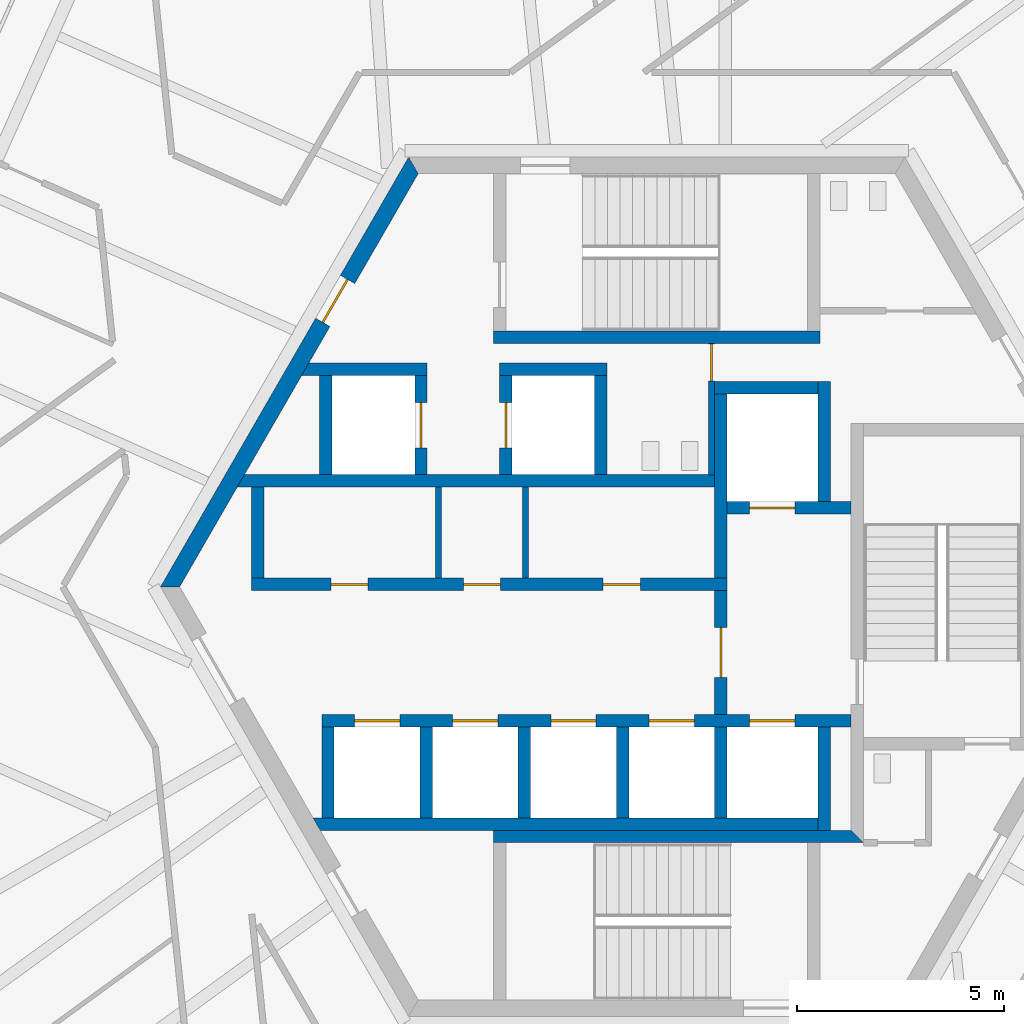
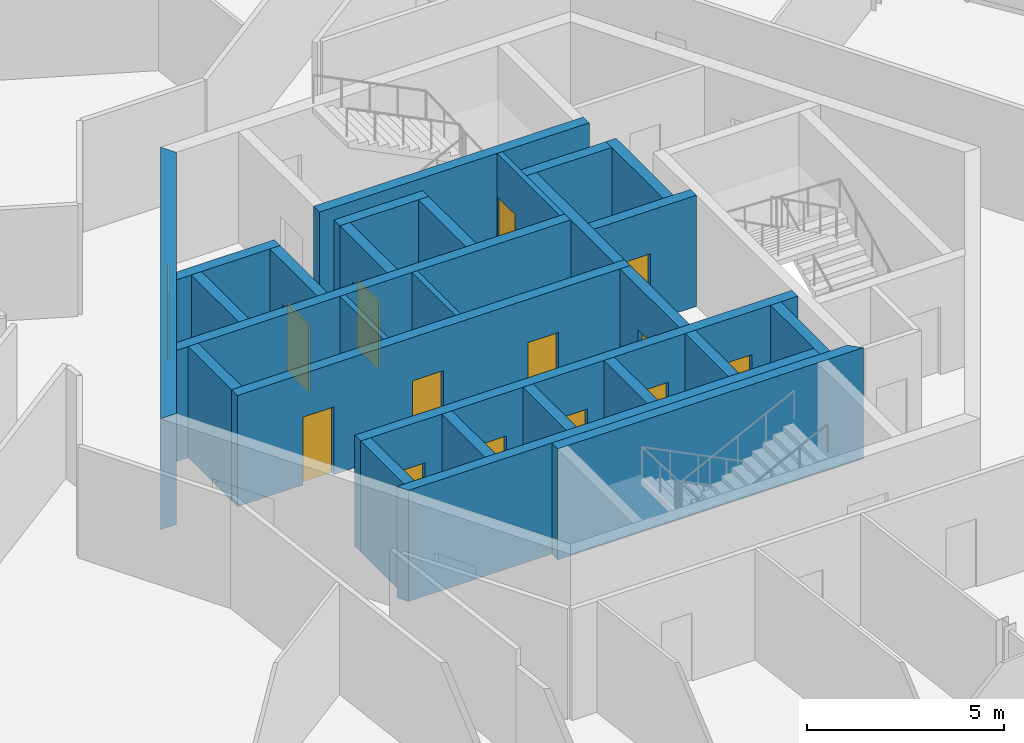
# One storey, part 12 of 18: 28 walls, 14 doors, 14 openings.
"""IFC4 building model written with IfcOpenShell, lengths in metres."""

from ifc_helpers import new_model, si_unit, direction, frame, frame_2d, origin, place, context, subcontext, project, spatial, polyline, rectangle, outline, extrude, source, transform, mapped, material, layer, layer_set, type_object, element, fill, save


model = new_model("IFC4")

# Units and contexts
model_context = context("Model", 3, precision=1e-05, world=origin(), true_north=direction((0.0, 1.0)))
body_context = subcontext(model_context, "Body", "Model", "MODEL_VIEW")
ifc_project = project(units=[si_unit("LENGTHUNIT", "METRE"), si_unit("AREAUNIT", "SQUARE_METRE"), si_unit("VOLUMEUNIT", "CUBIC_METRE"), si_unit("PLANEANGLEUNIT", "RADIAN"), si_unit("MASSUNIT", "GRAM", prefix="KILO")], contexts=[model_context])

# Site, building, storey
site_placement = place(None, origin())
site = spatial("IfcSite", under=ifc_project, at=site_placement, CompositionType="ELEMENT")
building_placement = place(site_placement, origin())
building = spatial("IfcBuilding", under=site, at=building_placement, Name="Triune Harvest Tower", CompositionType="ELEMENT")
storey_placement = place(building_placement, frame((0.0, 0.0, 237.699951171875)))
storey = spatial("IfcBuildingStorey", under=building, at=storey_placement, Name="L62", CompositionType="ELEMENT", Elevation=237.699951171875)

# Wall, opening, door
ifc_material_1 = material(Name="Concrete 70 MPa", Category="concrete")
ifc_layer_1 = layer(ifc_material_1, 0.39990234375)
ifc_layer_set_1 = layer_set([ifc_layer_1], Name="Concrete 70 MPa")
wall_type_1 = type_object("IfcWallType", Name="Core wall 400", PredefinedType="SHEAR", material=ifc_layer_set_1)
shared_shape_1 = source(origin(), body_context, "Body", "SweptSolid", [
    extrude(outline(polyline([(-0.115478515625, -0.199951171875), (11.884521484375, -0.199951171875), (11.653564453125, 0.199951171875), (0.115478515625, 0.199951171875), (-0.115478515625, -0.199951171875)])), origin(), (0.0, 0.0, 1.0), 3.43994140625),
])
wall_1_placement = place(storey_placement, frame((-5.884521484375, 10.1923828125, 0.0), z_axis=(0.0, 0.0, 1.0), x_axis=(-0.499996592174, -0.866027371285, 0.0)))
wall_1 = element("IfcWall", 1, at=wall_1_placement, inside=storey, type_object=wall_type_1, Name="Hexagon 2 wall", PredefinedType="SHEAR", context=body_context, shape_type="MappedRepresentation", body=[
    mapped(shared_shape_1, transform((0.0, 0.0, 0.0), scale=1.0)),
])
opening_1_placement = place(wall_1_placement, frame((3.1845703125, 0.0, 0.0)))
opening_1 = element("IfcOpeningElement", 2, at=opening_1_placement, cuts=wall_1, Name="Opening CD-SVP", PredefinedType="OPENING", context=body_context, shape_type="SweptSolid", body=[
    extrude(rectangle(XDim=1.199951171875, YDim=2.10009765625, at=frame_2d((0.60009765625, 1.050048828125))), frame((0.0, 0.2099609375, 0.0), z_axis=(0.0, -1.0, 0.0), x_axis=(1.0, 0.0, 0.0)), (0.0, 0.0, 1.0), 0.419921875),
])
ifc_material_2 = material(Name="Steel S235", Category="steel")
door_type_1 = type_object("IfcDoorType", Name="Service door 1200 FD120", OperationType="SINGLE_SWING_LEFT", PredefinedType="DOOR", material=ifc_material_2)
door_1_placement = place(opening_1_placement, frame((1.199951171875, 0.0, 0.0), z_axis=(0.0, 0.0, 1.0), x_axis=(-1.0, 0.0, 0.0)))
door_1 = element("IfcDoor", 3, at=door_1_placement, inside=storey, type_object=door_type_1, Name="Door CD-SVP", OperationType="SINGLE_SWING_RIGHT", OverallHeight=2.10009765625, OverallWidth=1.199951171875, PredefinedType="DOOR", context=body_context, shape_type="SweptSolid", body=[
    extrude(rectangle(XDim=1.199951171875, YDim=2.10009765625, at=frame_2d((0.60009765625, 1.050048828125))), frame((0.0, 0.02490234375, 0.0), z_axis=(0.0, -1.0, 0.0), x_axis=(1.0, 0.0, 0.0)), (0.0, 0.0, 1.0), 0.050048828125),
])
fill(opening_1, door_1)

# Wall, openings, doors
ifc_material_3 = material(Name="Concrete 70 MPa", Category="concrete")
ifc_layer_2 = layer(ifc_material_3, 0.300048828125)
ifc_layer_set_2 = layer_set([ifc_layer_2], Name="Concrete 70 MPa")
wall_type_2 = type_object("IfcWallType", Name="Core wall 300", PredefinedType="SHEAR", material=ifc_layer_set_2)
shared_shape_2 = source(origin(), body_context, "Body", "SweptSolid", [
    extrude(rectangle(XDim=11.5, YDim=0.300048828125, at=frame_2d((5.75, 0.0))), origin(), (0.0, 0.0, 1.0), 3.43994140625),
])
wall_2_placement = place(storey_placement, frame((-9.800048828125, 0.06005859375, 0.0), z_axis=(0.0, 0.0, 1.0), x_axis=(1.0, 0.0, 0.0)))
wall_2 = element("IfcWall", 4, at=wall_2_placement, inside=storey, type_object=wall_type_2, Name="North front wall", PredefinedType="SHEAR", context=body_context, shape_type="MappedRepresentation", body=[
    mapped(shared_shape_2, transform((0.0, 0.0, 0.0), scale=1.0)),
])
opening_2_placement = place(wall_2_placement, frame((1.922607421875, 0.0, 0.0)))
opening_2 = element("IfcOpeningElement", 5, at=opening_2_placement, cuts=wall_2, Name="Opening CD-RN1", PredefinedType="OPENING", context=body_context, shape_type="SweptSolid", body=[
    extrude(rectangle(XDim=0.89990234375, YDim=2.10009765625, at=frame_2d((0.449951171875, 1.050048828125))), frame((0.0, 0.16015625, 0.0), z_axis=(0.0, -1.0, 0.0), x_axis=(1.0, 0.0, 0.0)), (0.0, 0.0, 1.0), 0.320068359375),
])
opening_3_placement = place(wall_2_placement, frame((5.125, 0.0, 0.0)))
opening_3 = element("IfcOpeningElement", 6, at=opening_3_placement, cuts=wall_2, Name="Opening CD-RN2", PredefinedType="OPENING", context=body_context, shape_type="SweptSolid", body=[
    extrude(rectangle(XDim=0.89990234375, YDim=2.10009765625, at=frame_2d((0.449951171875, 1.050048828125))), frame((0.0, 0.16015625, 0.0), z_axis=(0.0, -1.0, 0.0), x_axis=(1.0, 0.0, 0.0)), (0.0, 0.0, 1.0), 0.320068359375),
])
opening_4_placement = place(wall_2_placement, frame((8.50244140625, 0.0, 0.0)))
opening_4 = element("IfcOpeningElement", 7, at=opening_4_placement, cuts=wall_2, Name="Opening CD-RN3", PredefinedType="OPENING", context=body_context, shape_type="SweptSolid", body=[
    extrude(rectangle(XDim=0.89990234375, YDim=2.10009765625, at=frame_2d((0.449951171875, 1.050048828125))), frame((0.0, 0.16015625, 0.0), z_axis=(0.0, -1.0, 0.0), x_axis=(1.0, 0.0, 0.0)), (0.0, 0.0, 1.0), 0.320068359375),
])
ifc_material_4 = material(Name="Steel S235", Category="steel")
door_type_2 = type_object("IfcDoorType", Name="Riser door 900 FD120", OperationType="SINGLE_SWING_LEFT", PredefinedType="DOOR", material=ifc_material_4)
door_2_placement = place(opening_2_placement, frame((0.89990234375, 0.0, 0.0), z_axis=(0.0, 0.0, 1.0), x_axis=(-1.0, 0.0, 0.0)))
door_2 = element("IfcDoor", 8, at=door_2_placement, inside=storey, type_object=door_type_2, Name="Door CD-RN1", OperationType="SINGLE_SWING_RIGHT", OverallHeight=2.10009765625, OverallWidth=0.89990234375, PredefinedType="DOOR", context=body_context, shape_type="SweptSolid", body=[
    extrude(rectangle(XDim=0.89990234375, YDim=2.10009765625, at=frame_2d((0.449951171875, 1.050048828125))), frame((0.0, 0.02490234375, 0.0), z_axis=(0.0, -1.0, 0.0), x_axis=(1.0, 0.0, 0.0)), (0.0, 0.0, 1.0), 0.050048828125),
])
fill(opening_2, door_2)
door_3_placement = place(opening_3_placement, frame((0.89990234375, 0.0, 0.0), z_axis=(0.0, 0.0, 1.0), x_axis=(-1.0, 0.0, 0.0)))
door_3 = element("IfcDoor", 9, at=door_3_placement, inside=storey, type_object=door_type_2, Name="Door CD-RN2", OperationType="SINGLE_SWING_RIGHT", OverallHeight=2.10009765625, OverallWidth=0.89990234375, PredefinedType="DOOR", context=body_context, shape_type="SweptSolid", body=[
    extrude(rectangle(XDim=0.89990234375, YDim=2.10009765625, at=frame_2d((0.449951171875, 1.050048828125))), frame((0.0, 0.02490234375, 0.0), z_axis=(0.0, -1.0, 0.0), x_axis=(1.0, 0.0, 0.0)), (0.0, 0.0, 1.0), 0.050048828125),
])
fill(opening_3, door_3)
door_4_placement = place(opening_4_placement, frame((0.89990234375, 0.0, 0.0), z_axis=(0.0, 0.0, 1.0), x_axis=(-1.0, 0.0, 0.0)))
door_4 = element("IfcDoor", 10, at=door_4_placement, inside=storey, type_object=door_type_2, Name="Door CD-RN3", OperationType="SINGLE_SWING_RIGHT", OverallHeight=2.10009765625, OverallWidth=0.89990234375, PredefinedType="DOOR", context=body_context, shape_type="SweptSolid", body=[
    extrude(rectangle(XDim=0.89990234375, YDim=2.10009765625, at=frame_2d((0.449951171875, 1.050048828125))), frame((0.0, 0.02490234375, 0.0), z_axis=(0.0, -1.0, 0.0), x_axis=(1.0, 0.0, 0.0)), (0.0, 0.0, 1.0), 0.050048828125),
])
fill(opening_4, door_4)

# Walls
shared_shape_3 = source(origin(), body_context, "Body", "SweptSolid", [
    extrude(outline(polyline([(11.199951171875, -0.14990234375), (-0.34912109375, -0.14990234375), (-0.17578125, 0.14990234375), (11.199951171875, 0.14990234375), (11.199951171875, -0.14990234375)])), origin(), (0.0, 0.0, 1.0), 3.43994140625),
])
wall_3_placement = place(storey_placement, frame((-9.800048828125, 2.56005859375, 0.0), z_axis=(0.0, 0.0, 1.0), x_axis=(1.0, 0.0, 0.0)))
element("IfcWall", 11, at=wall_3_placement, inside=storey, type_object=wall_type_2, Name="North back wall", PredefinedType="SHEAR", context=body_context, shape_type="MappedRepresentation", body=[
    mapped(shared_shape_3, transform((0.0, 0.0, 0.0), scale=1.0)),
])
shared_shape_4 = source(origin(), body_context, "Body", "SweptSolid", [
    extrude(rectangle(XDim=2.5, YDim=0.300048828125, at=frame_2d((1.25, 0.0))), origin(), (0.0, 0.0, 1.0), 3.43994140625),
])
for number, where, z_axis, x_axis, name in (
    (12, (1.39990234375, 4.81005859375, 0.0), (0.0, 0.0, 1.0), (1.0, 0.0, 0.0), "Ff1 back wall"),
    (13, (4.050048828125, -5.889892578125, 0.0), (0.0, 0.0, 1.0), (0.0, 1.0, 0.0), "Ff2 east wall"),
):
    element("IfcWall", number, at=place(storey_placement, frame(where, z_axis=z_axis, x_axis=x_axis)), inside=storey, type_object=wall_type_2, Name=name, PredefinedType="SHEAR", context=body_context, shape_type="MappedRepresentation", body=[
        mapped(shared_shape_4, transform((0.0, 0.0, 0.0), scale=1.0)),
    ])
shared_shape_5 = source(origin(), body_context, "Body", "SweptSolid", [
    extrude(rectangle(XDim=4.449951171875, YDim=0.300048828125, at=frame_2d((2.22509765625, 0.0))), origin(), (0.0, 0.0, 1.0), 3.43994140625),
])
wall_4_placement = place(storey_placement, frame((1.550048828125, 0.2099609375, 0.0), z_axis=(0.0, 0.0, 1.0), x_axis=(0.0, 1.0, 0.0)))
element("IfcWall", 14, at=wall_4_placement, inside=storey, type_object=wall_type_2, Name="Ff1 west wall", PredefinedType="SHEAR", context=body_context, shape_type="MappedRepresentation", body=[
    mapped(shared_shape_5, transform((0.0, 0.0, 0.0), scale=1.0)),
])

# Wall, opening, door
shared_shape_6 = source(origin(), body_context, "Body", "SweptSolid", [
    extrude(rectangle(XDim=3.0, YDim=0.300048828125, at=frame_2d((1.5, 0.0))), origin(), (0.0, 0.0, 1.0), 3.43994140625),
])
wall_5_placement = place(storey_placement, frame((1.699951171875, 1.909912109375, 0.0), z_axis=(0.0, 0.0, 1.0), x_axis=(1.0, 0.0, 0.0)))
wall_5 = element("IfcWall", 15, at=wall_5_placement, inside=storey, type_object=wall_type_2, Name="Ff1 front wall", PredefinedType="SHEAR", context=body_context, shape_type="MappedRepresentation", body=[
    mapped(shared_shape_6, transform((0.0, 0.0, 0.0), scale=1.0)),
])
opening_5_placement = place(wall_5_placement, frame((0.550048828125, 0.0, 0.0)))
opening_5 = element("IfcOpeningElement", 16, at=opening_5_placement, cuts=wall_5, Name="Opening LD-FF1-62", PredefinedType="OPENING", context=body_context, shape_type="SweptSolid", body=[
    extrude(rectangle(XDim=1.10009765625, YDim=2.10009765625, at=frame_2d((0.550048828125, 1.050048828125))), frame((0.0, 0.16015625, 0.0), z_axis=(0.0, -1.0, 0.0), x_axis=(1.0, 0.0, 0.0)), (0.0, 0.0, 1.0), 0.320068359375),
])
ifc_material_5 = material(Name="Stainless steel AISI 304", Category="steel")
door_type_3 = type_object("IfcDoorType", Name="Landing door 1100 x 2100", OperationType="DOUBLE_DOOR_SLIDING", PredefinedType="DOOR", material=ifc_material_5)
door_5_placement = place(opening_5_placement, origin())
door_5 = element("IfcDoor", 17, at=door_5_placement, inside=storey, type_object=door_type_3, Name="Door LD-FF1-62", OperationType="DOUBLE_DOOR_SLIDING", OverallHeight=2.10009765625, OverallWidth=1.10009765625, PredefinedType="DOOR", context=body_context, shape_type="SweptSolid", body=[
    extrude(rectangle(XDim=1.10009765625, YDim=2.10009765625, at=frame_2d((0.550048828125, 1.050048828125))), frame((0.0, 0.02490234375, 0.0), z_axis=(0.0, -1.0, 0.0), x_axis=(1.0, 0.0, 0.0)), (0.0, 0.0, 1.0), 0.050048828125),
])
fill(opening_5, door_5)

wall_6_placement = place(storey_placement, frame((1.550048828125, -3.090087890625, 0.0), z_axis=(0.0, 0.0, 1.0), x_axis=(0.0, 1.0, 0.0)))
wall_6 = element("IfcWall", 18, at=wall_6_placement, inside=storey, type_object=wall_type_2, Name="Ff lobby west wall", PredefinedType="SHEAR", context=body_context, shape_type="MappedRepresentation", body=[
    mapped(shared_shape_6, transform((0.0, 0.0, 0.0), scale=1.0)),
])
opening_6_placement = place(wall_6_placement, frame((0.89990234375, 0.0, 0.0)))
opening_6 = element("IfcOpeningElement", 19, at=opening_6_placement, cuts=wall_6, Name="Opening CD-FL", PredefinedType="OPENING", context=body_context, shape_type="SweptSolid", body=[
    extrude(rectangle(XDim=1.199951171875, YDim=2.10009765625, at=frame_2d((0.60009765625, 1.050048828125))), frame((0.0, 0.16015625, 0.0), z_axis=(0.0, -1.0, 0.0), x_axis=(1.0, 0.0, 0.0)), (0.0, 0.0, 1.0), 0.320068359375),
])
ifc_material_6 = material(Name="Steel S235", Category="steel")
door_type_4 = type_object("IfcDoorType", Name="Firefighters' lobby door 1200 FD120", OperationType="SINGLE_SWING_LEFT", PredefinedType="DOOR", material=ifc_material_6)
door_6_placement = place(opening_6_placement, frame((1.199951171875, 0.0, 0.0), z_axis=(0.0, 0.0, 1.0), x_axis=(-1.0, 0.0, 0.0)))
door_6 = element("IfcDoor", 20, at=door_6_placement, inside=storey, type_object=door_type_4, Name="Door CD-FL", OperationType="SINGLE_SWING_RIGHT", OverallHeight=2.10009765625, OverallWidth=1.199951171875, PredefinedType="DOOR", context=body_context, shape_type="SweptSolid", body=[
    extrude(rectangle(XDim=1.199951171875, YDim=2.10009765625, at=frame_2d((0.60009765625, 1.050048828125))), frame((0.0, 0.02490234375, 0.0), z_axis=(0.0, -1.0, 0.0), x_axis=(1.0, 0.0, 0.0)), (0.0, 0.0, 1.0), 0.050048828125),
])
fill(opening_6, door_6)

# Wall
shared_shape_7 = source(origin(), body_context, "Body", "SweptSolid", [
    extrude(rectangle(XDim=2.89990234375, YDim=0.300048828125, at=frame_2d((1.449951171875, 0.0))), origin(), (0.0, 0.0, 1.0), 3.43994140625),
])
wall_7_placement = place(storey_placement, frame((4.050048828125, 2.06005859375, 0.0), z_axis=(0.0, 0.0, 1.0), x_axis=(0.0, 1.0, 0.0)))
element("IfcWall", 21, at=wall_7_placement, inside=storey, type_object=wall_type_2, Name="Ff1 east wall", PredefinedType="SHEAR", context=body_context, shape_type="MappedRepresentation", body=[
    mapped(shared_shape_7, transform((0.0, 0.0, 0.0), scale=1.0)),
])

# Wall, openings, doors
shared_shape_8 = source(origin(), body_context, "Body", "SweptSolid", [
    extrude(rectangle(XDim=12.800048828125, YDim=0.300048828125, at=frame_2d((6.39990234375, 0.0))), origin(), (0.0, 0.0, 1.0), 3.43994140625),
])
wall_8_placement = place(storey_placement, frame((-8.10009765625, -3.239990234375, 0.0), z_axis=(0.0, 0.0, 1.0), x_axis=(1.0, 0.0, 0.0)))
wall_8 = element("IfcWall", 22, at=wall_8_placement, inside=storey, type_object=wall_type_2, Name="South front wall", PredefinedType="SHEAR", context=body_context, shape_type="MappedRepresentation", body=[
    mapped(shared_shape_8, transform((0.0, 0.0, 0.0), scale=1.0)),
])
opening_7_placement = place(wall_8_placement, frame((0.78759765625, 0.0, 0.0)))
opening_7 = element("IfcOpeningElement", 23, at=opening_7_placement, cuts=wall_8, Name="Opening LD-HR1-62", PredefinedType="OPENING", context=body_context, shape_type="SweptSolid", body=[
    extrude(rectangle(XDim=1.10009765625, YDim=2.10009765625, at=frame_2d((0.550048828125, 1.050048828125))), frame((0.0, 0.16015625, 0.0), z_axis=(0.0, -1.0, 0.0), x_axis=(1.0, 0.0, 0.0)), (0.0, 0.0, 1.0), 0.320068359375),
])
opening_8_placement = place(wall_8_placement, frame((3.16259765625, 0.0, 0.0)))
opening_8 = element("IfcOpeningElement", 24, at=opening_8_placement, cuts=wall_8, Name="Opening LD-HR2-62", PredefinedType="OPENING", context=body_context, shape_type="SweptSolid", body=[
    extrude(rectangle(XDim=1.10009765625, YDim=2.10009765625, at=frame_2d((0.550048828125, 1.050048828125))), frame((0.0, 0.16015625, 0.0), z_axis=(0.0, -1.0, 0.0), x_axis=(1.0, 0.0, 0.0)), (0.0, 0.0, 1.0), 0.320068359375),
])
opening_9_placement = place(wall_8_placement, frame((5.53759765625, 0.0, 0.0)))
opening_9 = element("IfcOpeningElement", 25, at=opening_9_placement, cuts=wall_8, Name="Opening LD-HR3-62", PredefinedType="OPENING", context=body_context, shape_type="SweptSolid", body=[
    extrude(rectangle(XDim=1.10009765625, YDim=2.10009765625, at=frame_2d((0.550048828125, 1.050048828125))), frame((0.0, 0.16015625, 0.0), z_axis=(0.0, -1.0, 0.0), x_axis=(1.0, 0.0, 0.0)), (0.0, 0.0, 1.0), 0.320068359375),
])
opening_10_placement = place(wall_8_placement, frame((7.91259765625, 0.0, 0.0)))
opening_10 = element("IfcOpeningElement", 26, at=opening_10_placement, cuts=wall_8, Name="Opening LD-HR4-62", PredefinedType="OPENING", context=body_context, shape_type="SweptSolid", body=[
    extrude(rectangle(XDim=1.10009765625, YDim=2.10009765625, at=frame_2d((0.550048828125, 1.050048828125))), frame((0.0, 0.16015625, 0.0), z_axis=(0.0, -1.0, 0.0), x_axis=(1.0, 0.0, 0.0)), (0.0, 0.0, 1.0), 0.320068359375),
])
opening_11_placement = place(wall_8_placement, frame((10.35009765625, 0.0, 0.0)))
opening_11 = element("IfcOpeningElement", 27, at=opening_11_placement, cuts=wall_8, Name="Opening LD-FF2-62", PredefinedType="OPENING", context=body_context, shape_type="SweptSolid", body=[
    extrude(rectangle(XDim=1.10009765625, YDim=2.10009765625, at=frame_2d((0.550048828125, 1.050048828125))), frame((0.0, 0.16015625, 0.0), z_axis=(0.0, -1.0, 0.0), x_axis=(1.0, 0.0, 0.0)), (0.0, 0.0, 1.0), 0.320068359375),
])
door_7_placement = place(opening_7_placement, origin())
door_7 = element("IfcDoor", 28, at=door_7_placement, inside=storey, type_object=door_type_3, Name="Door LD-HR1-62", OperationType="DOUBLE_DOOR_SLIDING", OverallHeight=2.10009765625, OverallWidth=1.10009765625, PredefinedType="DOOR", context=body_context, shape_type="SweptSolid", body=[
    extrude(rectangle(XDim=1.10009765625, YDim=2.10009765625, at=frame_2d((0.550048828125, 1.050048828125))), frame((0.0, 0.02490234375, 0.0), z_axis=(0.0, -1.0, 0.0), x_axis=(1.0, 0.0, 0.0)), (0.0, 0.0, 1.0), 0.050048828125),
])
fill(opening_7, door_7)
door_8_placement = place(opening_8_placement, origin())
door_8 = element("IfcDoor", 29, at=door_8_placement, inside=storey, type_object=door_type_3, Name="Door LD-HR2-62", OperationType="DOUBLE_DOOR_SLIDING", OverallHeight=2.10009765625, OverallWidth=1.10009765625, PredefinedType="DOOR", context=body_context, shape_type="SweptSolid", body=[
    extrude(rectangle(XDim=1.10009765625, YDim=2.10009765625, at=frame_2d((0.550048828125, 1.050048828125))), frame((0.0, 0.02490234375, 0.0), z_axis=(0.0, -1.0, 0.0), x_axis=(1.0, 0.0, 0.0)), (0.0, 0.0, 1.0), 0.050048828125),
])
fill(opening_8, door_8)
door_9_placement = place(opening_9_placement, origin())
door_9 = element("IfcDoor", 30, at=door_9_placement, inside=storey, type_object=door_type_3, Name="Door LD-HR3-62", OperationType="DOUBLE_DOOR_SLIDING", OverallHeight=2.10009765625, OverallWidth=1.10009765625, PredefinedType="DOOR", context=body_context, shape_type="SweptSolid", body=[
    extrude(rectangle(XDim=1.10009765625, YDim=2.10009765625, at=frame_2d((0.550048828125, 1.050048828125))), frame((0.0, 0.02490234375, 0.0), z_axis=(0.0, -1.0, 0.0), x_axis=(1.0, 0.0, 0.0)), (0.0, 0.0, 1.0), 0.050048828125),
])
fill(opening_9, door_9)
door_10_placement = place(opening_10_placement, origin())
door_10 = element("IfcDoor", 31, at=door_10_placement, inside=storey, type_object=door_type_3, Name="Door LD-HR4-62", OperationType="DOUBLE_DOOR_SLIDING", OverallHeight=2.10009765625, OverallWidth=1.10009765625, PredefinedType="DOOR", context=body_context, shape_type="SweptSolid", body=[
    extrude(rectangle(XDim=1.10009765625, YDim=2.10009765625, at=frame_2d((0.550048828125, 1.050048828125))), frame((0.0, 0.02490234375, 0.0), z_axis=(0.0, -1.0, 0.0), x_axis=(1.0, 0.0, 0.0)), (0.0, 0.0, 1.0), 0.050048828125),
])
fill(opening_10, door_10)
door_11_placement = place(opening_11_placement, origin())
door_11 = element("IfcDoor", 32, at=door_11_placement, inside=storey, type_object=door_type_3, Name="Door LD-FF2-62", OperationType="DOUBLE_DOOR_SLIDING", OverallHeight=2.10009765625, OverallWidth=1.10009765625, PredefinedType="DOOR", context=body_context, shape_type="SweptSolid", body=[
    extrude(rectangle(XDim=1.10009765625, YDim=2.10009765625, at=frame_2d((0.550048828125, 1.050048828125))), frame((0.0, 0.02490234375, 0.0), z_axis=(0.0, -1.0, 0.0), x_axis=(1.0, 0.0, 0.0)), (0.0, 0.0, 1.0), 0.050048828125),
])
fill(opening_11, door_11)

# Walls
shared_shape_9 = source(origin(), body_context, "Body", "SweptSolid", [
    extrude(outline(polyline([(12.0, -0.14990234375), (-0.039794921875, -0.14990234375), (-0.212890625, 0.14990234375), (12.0, 0.14990234375), (12.0, -0.14990234375)])), origin(), (0.0, 0.0, 1.0), 3.43994140625),
])
wall_9_placement = place(storey_placement, frame((-8.10009765625, -5.739990234375, 0.0), z_axis=(0.0, 0.0, 1.0), x_axis=(1.0, 0.0, 0.0)))
element("IfcWall", 33, at=wall_9_placement, inside=storey, type_object=wall_type_2, Name="South back wall", PredefinedType="SHEAR", context=body_context, shape_type="MappedRepresentation", body=[
    mapped(shared_shape_9, transform((0.0, 0.0, 0.0), scale=1.0)),
])
shared_shape_10 = source(origin(), body_context, "Body", "SweptSolid", [
    extrude(rectangle(XDim=2.2001953125, YDim=0.300048828125, at=frame_2d((1.10009765625, 0.0))), origin(), (0.0, 0.0, 1.0), 3.43994140625),
])
for number, where, z_axis, x_axis, name in (
    (34, (-7.949951171875, -5.590087890625, 0.0), (0.0, 0.0, 1.0), (0.0, 1.0, 0.0), "South end west wall"),
    (35, (1.550048828125, -5.590087890625, 0.0), (0.0, 0.0, 1.0), (0.0, 1.0, 0.0), "Ff2 west wall"),
    (36, (-5.574951171875, -5.590087890625, 0.0), (0.0, 0.0, 1.0), (0.0, 1.0, 0.0), "South cross 1 wall"),
    (37, (-3.199951171875, -5.590087890625, 0.0), (0.0, 0.0, 1.0), (0.0, 1.0, 0.0), "South cross 2 wall"),
    (38, (-0.824951171875, -5.590087890625, 0.0), (0.0, 0.0, 1.0), (0.0, 1.0, 0.0), "South cross 3 wall"),
):
    element("IfcWall", number, at=place(storey_placement, frame(where, z_axis=z_axis, x_axis=x_axis)), inside=storey, type_object=wall_type_2, Name=name, PredefinedType="SHEAR", context=body_context, shape_type="MappedRepresentation", body=[
        mapped(shared_shape_10, transform((0.0, 0.0, 0.0), scale=1.0)),
    ])
shared_shape_11 = source(origin(), body_context, "Body", "SweptSolid", [
    extrude(rectangle(XDim=2.199951171875, YDim=0.300048828125, at=frame_2d((1.10009765625, 0.0))), origin(), (0.0, 0.0, 1.0), 3.43994140625),
])
wall_10_placement = place(storey_placement, frame((-9.64990234375, 0.2099609375, 0.0), z_axis=(0.0, 0.0, 1.0), x_axis=(0.0, 1.0, 0.0)))
element("IfcWall", 39, at=wall_10_placement, inside=storey, type_object=wall_type_2, Name="North end west wall", PredefinedType="SHEAR", context=body_context, shape_type="MappedRepresentation", body=[
    mapped(shared_shape_11, transform((0.0, 0.0, 0.0), scale=1.0)),
])
shared_shape_12 = source(origin(), body_context, "Body", "SweptSolid", [
    extrude(rectangle(XDim=7.89990234375, YDim=0.300048828125, at=frame_2d((3.949951171875, 0.0))), origin(), (0.0, 0.0, 1.0), 3.43994140625),
])
wall_11_placement = place(storey_placement, frame((-3.949951171875, 6.0400390625, 0.0), z_axis=(0.0, 0.0, 1.0), x_axis=(1.0, 0.0, 0.0)))
element("IfcWall", 40, at=wall_11_placement, inside=storey, type_object=wall_type_2, Name="Stair n south wall", PredefinedType="SHEAR", context=body_context, shape_type="MappedRepresentation", body=[
    mapped(shared_shape_12, transform((0.0, 0.0, 0.0), scale=1.0)),
])
shared_shape_13 = source(origin(), body_context, "Body", "SweptSolid", [
    extrude(outline(polyline([(0.0, -0.14990234375), (8.949951171875, -0.14990234375), (8.64990234375, 0.14990234375), (0.0, 0.14990234375), (0.0, -0.14990234375)])), origin(), (0.0, 0.0, 1.0), 3.43994140625),
])
wall_12_placement = place(storey_placement, frame((-3.949951171875, -6.0400390625, 0.0), z_axis=(0.0, 0.0, 1.0), x_axis=(1.0, 0.0, 0.0)))
element("IfcWall", 41, at=wall_12_placement, inside=storey, type_object=wall_type_2, Name="Stair s north wall", PredefinedType="SHEAR", context=body_context, shape_type="MappedRepresentation", body=[
    mapped(shared_shape_13, transform((0.0, 0.0, 0.0), scale=1.0)),
])
shared_shape_14 = source(origin(), body_context, "Body", "SweptSolid", [
    extrude(outline(polyline([(2.60009765625, -0.14990234375), (-0.440185546875, -0.14990234375), (-0.26708984375, 0.14990234375), (2.60009765625, 0.14990234375), (2.60009765625, -0.14990234375)])), origin(), (0.0, 0.0, 1.0), 3.43994140625),
])
wall_13_placement = place(storey_placement, frame((-8.14990234375, 5.260009765625, 0.0), z_axis=(0.0, 0.0, 1.0), x_axis=(1.0, 0.0, 0.0)))
element("IfcWall", 42, at=wall_13_placement, inside=storey, type_object=wall_type_2, Name="Sv1 north wall", PredefinedType="SHEAR", context=body_context, shape_type="MappedRepresentation", body=[
    mapped(shared_shape_14, transform((0.0, 0.0, 0.0), scale=1.0)),
])
shared_shape_15 = source(origin(), body_context, "Body", "SweptSolid", [
    extrude(rectangle(XDim=2.400146484375, YDim=0.300048828125, at=frame_2d((1.2001953125, 0.0))), origin(), (0.0, 0.0, 1.0), 3.43994140625),
])
wall_14_placement = place(storey_placement, frame((-8.0, 2.7099609375, 0.0), z_axis=(0.0, 0.0, 1.0), x_axis=(0.0, 1.0, 0.0)))
element("IfcWall", 43, at=wall_14_placement, inside=storey, type_object=wall_type_2, Name="Sv1 west wall", PredefinedType="SHEAR", context=body_context, shape_type="MappedRepresentation", body=[
    mapped(shared_shape_15, transform((0.0, 0.0, 0.0), scale=1.0)),
])

# Wall, opening, door
wall_15_placement = place(storey_placement, frame((-5.699951171875, 2.7099609375, 0.0), z_axis=(0.0, 0.0, 1.0), x_axis=(0.0, 1.0, 0.0)))
wall_15 = element("IfcWall", 44, at=wall_15_placement, inside=storey, type_object=wall_type_2, Name="Sv1 east wall", PredefinedType="SHEAR", context=body_context, shape_type="MappedRepresentation", body=[
    mapped(shared_shape_15, transform((0.0, 0.0, 0.0), scale=1.0)),
])
opening_12_placement = place(wall_15_placement, frame((0.64990234375, 0.0, 0.0)))
opening_12 = element("IfcOpeningElement", 45, at=opening_12_placement, cuts=wall_15, Name="Opening LD-SV1-62", PredefinedType="OPENING", context=body_context, shape_type="SweptSolid", body=[
    extrude(rectangle(XDim=1.10009765625, YDim=2.10009765625, at=frame_2d((0.550048828125, 1.050048828125))), frame((0.0, 0.16015625, 0.0), z_axis=(0.0, -1.0, 0.0), x_axis=(1.0, 0.0, 0.0)), (0.0, 0.0, 1.0), 0.320068359375),
])
door_12_placement = place(opening_12_placement, origin())
door_12 = element("IfcDoor", 46, at=door_12_placement, inside=storey, type_object=door_type_3, Name="Door LD-SV1-62", OperationType="DOUBLE_DOOR_SLIDING", OverallHeight=2.10009765625, OverallWidth=1.10009765625, PredefinedType="DOOR", context=body_context, shape_type="SweptSolid", body=[
    extrude(rectangle(XDim=1.10009765625, YDim=2.10009765625, at=frame_2d((0.550048828125, 1.050048828125))), frame((0.0, 0.02490234375, 0.0), z_axis=(0.0, -1.0, 0.0), x_axis=(1.0, 0.0, 0.0)), (0.0, 0.0, 1.0), 0.050048828125),
])
fill(opening_12, door_12)

wall_16_placement = place(storey_placement, frame((-3.64990234375, 2.7099609375, 0.0), z_axis=(0.0, 0.0, 1.0), x_axis=(0.0, 1.0, 0.0)))
wall_16 = element("IfcWall", 47, at=wall_16_placement, inside=storey, type_object=wall_type_2, Name="Sv2 west wall", PredefinedType="SHEAR", context=body_context, shape_type="MappedRepresentation", body=[
    mapped(shared_shape_15, transform((0.0, 0.0, 0.0), scale=1.0)),
])
opening_13_placement = place(wall_16_placement, frame((0.64990234375, 0.0, 0.0)))
opening_13 = element("IfcOpeningElement", 48, at=opening_13_placement, cuts=wall_16, Name="Opening LD-SV2-62", PredefinedType="OPENING", context=body_context, shape_type="SweptSolid", body=[
    extrude(rectangle(XDim=1.10009765625, YDim=2.10009765625, at=frame_2d((0.550048828125, 1.050048828125))), frame((0.0, 0.16015625, 0.0), z_axis=(0.0, -1.0, 0.0), x_axis=(1.0, 0.0, 0.0)), (0.0, 0.0, 1.0), 0.320068359375),
])
door_13_placement = place(opening_13_placement, origin())
door_13 = element("IfcDoor", 49, at=door_13_placement, inside=storey, type_object=door_type_3, Name="Door LD-SV2-62", OperationType="DOUBLE_DOOR_SLIDING", OverallHeight=2.10009765625, OverallWidth=1.10009765625, PredefinedType="DOOR", context=body_context, shape_type="SweptSolid", body=[
    extrude(rectangle(XDim=1.10009765625, YDim=2.10009765625, at=frame_2d((0.550048828125, 1.050048828125))), frame((0.0, 0.02490234375, 0.0), z_axis=(0.0, -1.0, 0.0), x_axis=(1.0, 0.0, 0.0)), (0.0, 0.0, 1.0), 0.050048828125),
])
fill(opening_13, door_13)

# Walls
wall_17_placement = place(storey_placement, frame((-1.35009765625, 2.7099609375, 0.0), z_axis=(0.0, 0.0, 1.0), x_axis=(0.0, 1.0, 0.0)))
element("IfcWall", 50, at=wall_17_placement, inside=storey, type_object=wall_type_2, Name="Sv2 east wall", PredefinedType="SHEAR", context=body_context, shape_type="MappedRepresentation", body=[
    mapped(shared_shape_15, transform((0.0, 0.0, 0.0), scale=1.0)),
])
shared_shape_16 = source(origin(), body_context, "Body", "SweptSolid", [
    extrude(rectangle(XDim=2.60009765625, YDim=0.300048828125, at=frame_2d((1.300048828125, 0.0))), origin(), (0.0, 0.0, 1.0), 3.43994140625),
])
wall_18_placement = place(storey_placement, frame((-3.800048828125, 5.260009765625, 0.0), z_axis=(0.0, 0.0, 1.0), x_axis=(1.0, 0.0, 0.0)))
element("IfcWall", 51, at=wall_18_placement, inside=storey, type_object=wall_type_2, Name="Sv2 north wall", PredefinedType="SHEAR", context=body_context, shape_type="MappedRepresentation", body=[
    mapped(shared_shape_16, transform((0.0, 0.0, 0.0), scale=1.0)),
])

# Wall, opening, door
ifc_material_7 = material(Name="Concrete masonry unit", Category="masonry")
ifc_layer_3 = layer(ifc_material_7, 0.14990234375)
ifc_layer_set_3 = layer_set([ifc_layer_3], Name="Concrete masonry unit")
wall_type_3 = type_object("IfcWallType", Name="Block partition 150 unrated", PredefinedType="PARTITIONING", material=ifc_layer_set_3)
shared_shape_17 = source(origin(), body_context, "Body", "SweptSolid", [
    extrude(rectangle(XDim=3.179931640625, YDim=0.14990234375, at=frame_2d((1.58984375, 0.0))), origin(), (0.0, 0.0, 1.0), 3.43994140625),
])
wall_19_placement = place(storey_placement, frame((1.324951171875, 2.7099609375, 0.0), z_axis=(0.0, 0.0, 1.0), x_axis=(0.0, 1.0, 0.0)))
wall_19 = element("IfcWall", 52, at=wall_19_placement, inside=storey, type_object=wall_type_3, Name="Wc men east wall", PredefinedType="PARTITIONING", context=body_context, shape_type="MappedRepresentation", body=[
    mapped(shared_shape_17, transform((0.0, 0.0, 0.0), scale=1.0)),
])
opening_14_placement = place(wall_19_placement, frame((2.264892578125, 0.0, 0.0)))
opening_14 = element("IfcOpeningElement", 53, at=opening_14_placement, cuts=wall_19, Name="Opening CD-WM", PredefinedType="OPENING", context=body_context, shape_type="SweptSolid", body=[
    extrude(rectangle(XDim=0.89990234375, YDim=2.10009765625, at=frame_2d((0.449951171875, 1.050048828125))), frame((0.0, 0.0849609375, 0.0), z_axis=(0.0, -1.0, 0.0), x_axis=(1.0, 0.0, 0.0)), (0.0, 0.0, 1.0), 0.169921875),
])
ifc_material_8 = material(Name="Timber C24", Category="wood")
door_type_5 = type_object("IfcDoorType", Name="WC door 900", OperationType="SINGLE_SWING_LEFT", PredefinedType="DOOR", material=ifc_material_8)
door_14_placement = place(opening_14_placement, origin())
door_14 = element("IfcDoor", 54, at=door_14_placement, inside=storey, type_object=door_type_5, Name="Door CD-WM", OperationType="SINGLE_SWING_LEFT", OverallHeight=2.10009765625, OverallWidth=0.89990234375, PredefinedType="DOOR", context=body_context, shape_type="SweptSolid", body=[
    extrude(rectangle(XDim=0.89990234375, YDim=2.10009765625, at=frame_2d((0.449951171875, 1.050048828125))), frame((0.0, 0.02490234375, 0.0), z_axis=(0.0, -1.0, 0.0), x_axis=(1.0, 0.0, 0.0)), (0.0, 0.0, 1.0), 0.050048828125),
])
fill(opening_14, door_14)

# Walls
ifc_material_9 = material(Name="Concrete masonry unit", Category="masonry")
ifc_layer_4 = layer(ifc_material_9, 0.14990234375)
ifc_layer_set_4 = layer_set([ifc_layer_4], Name="Concrete masonry unit")
wall_type_4 = type_object("IfcWallType", Name="Block partition 150", PredefinedType="PARTITIONING", material=ifc_layer_set_4)
shared_shape_18 = source(origin(), body_context, "Body", "SweptSolid", [
    extrude(rectangle(XDim=2.199951171875, YDim=0.14990234375, at=frame_2d((1.10009765625, 0.0))), origin(), (0.0, 0.0, 1.0), 3.43994140625),
])
for number, where, z_axis, x_axis, name in (
    (55, (-5.280029296875, 0.2099609375, 0.0), (0.0, 0.0, 1.0), (0.0, 1.0, 0.0), "Row n part 1 wall"),
    (56, (-3.169921875, 0.2099609375, 0.0), (0.0, 0.0, 1.0), (0.0, 1.0, 0.0), "Row n part 2 wall"),
):
    element("IfcWall", number, at=place(storey_placement, frame(where, z_axis=z_axis, x_axis=x_axis)), inside=storey, type_object=wall_type_4, Name=name, PredefinedType="PARTITIONING", context=body_context, shape_type="MappedRepresentation", body=[
        mapped(shared_shape_18, transform((0.0, 0.0, 0.0), scale=1.0)),
    ])

save(model, "model.ifc")
